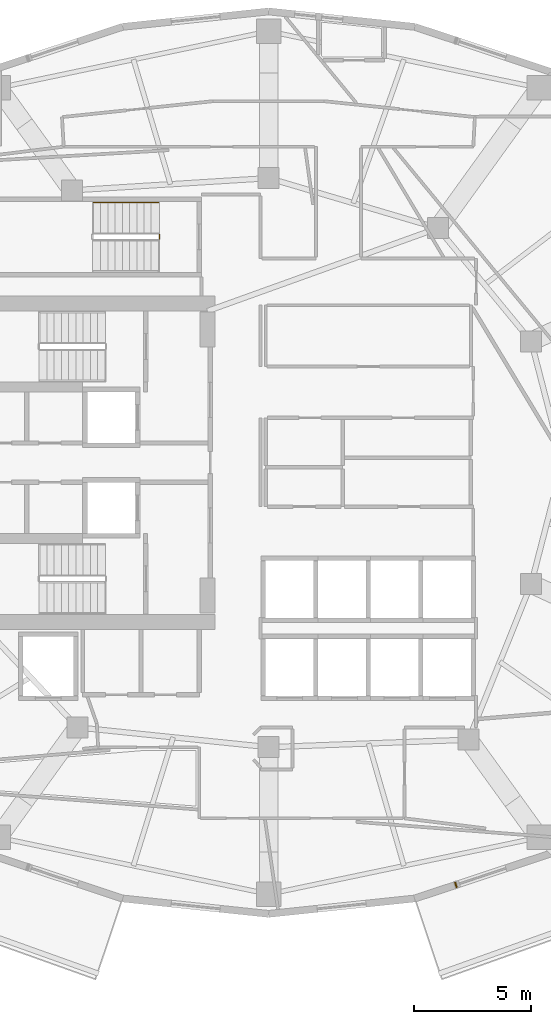
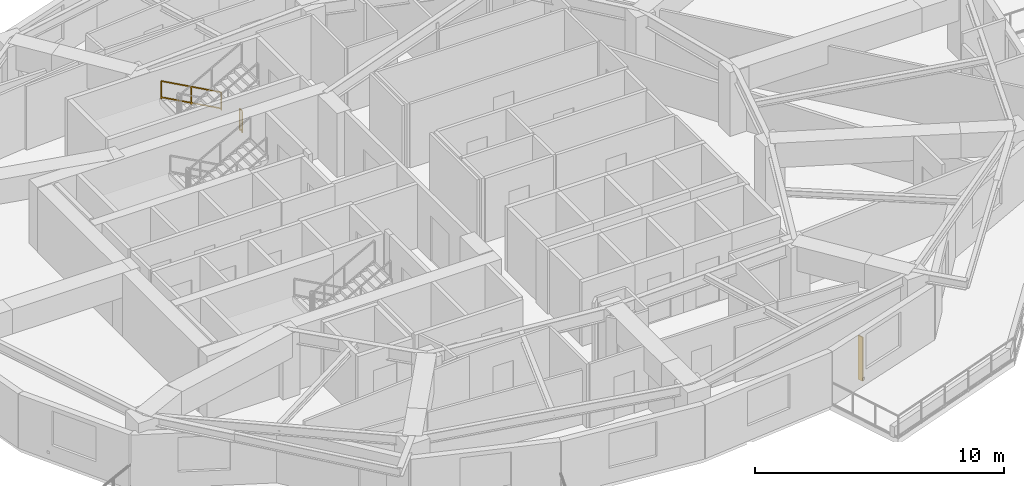
# One storey, part 10 of 12: 2 railings, 1 shading device.
"""IFC4 building model written with IfcOpenShell, lengths in metres."""

from ifc_helpers import new_model, si_unit, direction, frame, origin, origin_2d, place, context, subcontext, project, spatial, rectangle, extrude, material, type_object, element, save


model = new_model("IFC4")

# Units and contexts
model_context = context("Model", 3, precision=1e-05, world=origin(), true_north=direction((0.0, 1.0)))
body_context = subcontext(model_context, "Body", "Model", "MODEL_VIEW")
ifc_project = project(units=[si_unit("LENGTHUNIT", "METRE"), si_unit("AREAUNIT", "SQUARE_METRE"), si_unit("VOLUMEUNIT", "CUBIC_METRE"), si_unit("PLANEANGLEUNIT", "RADIAN"), si_unit("MASSUNIT", "GRAM", prefix="KILO")], contexts=[model_context])

# Site, building, storey
site_placement = place(None, origin())
site = spatial("IfcSite", under=ifc_project, at=site_placement, CompositionType="ELEMENT")
building_placement = place(site_placement, origin())
building = spatial("IfcBuilding", under=site, at=building_placement, Name="Kolvaren Gate Tower and Convention Centre", CompositionType="ELEMENT")
storey_placement = place(building_placement, frame((0.0, 0.0, 139.300048828125)))
storey = spatial("IfcBuildingStorey", under=building, at=storey_placement, Name="L35", CompositionType="ELEMENT", Elevation=139.300048828125)

# Railings
ifc_material_1 = material(Name="Brushed Stainless Steel Grade 316L", Category="steel")
railing_type_1 = type_object("IfcRailingType", Name="ARCH-RL-GUARD-1150", PredefinedType="GUARDRAIL", material=ifc_material_1)
railing_1_placement = place(storey_placement, frame((25.449951171875, 36.780029296875, 0.0)))
element("IfcRailing", 1, at=railing_1_placement, inside=storey, type_object=railing_type_1, Name="L35 ST-T3 stair guard 4", PredefinedType="GUARDRAIL", context=body_context, shape_type="SweptSolid", body=[
    extrude(rectangle(XDim=0.048095703125, YDim=0.048095703125, at=origin_2d()), frame((0.0, 0.0, 1.076171875), z_axis=(0.0, -1.0, 0.0), x_axis=(1.0, 0.0, 0.0)), (0.0, 0.0, 1.0), 0.199951171875),
    extrude(rectangle(XDim=0.048095703125, YDim=0.048095703125, at=origin_2d()), frame((0.0, 0.0, 0.083984375), z_axis=(0.0, -1.0, 0.0), x_axis=(1.0, 0.0, 0.0)), (0.0, 0.0, 1.0), 0.199951171875),
    extrude(rectangle(XDim=0.0419921875, YDim=0.0419921875, at=origin_2d()), origin(), (0.0, 0.0, 1.0), 1.050048828125),
    extrude(rectangle(XDim=0.0419921875, YDim=0.0419921875, at=origin_2d()), frame((0.0, -0.199951171875, 0.0)), (0.0, 0.0, 1.0), 1.050048828125),
])
railing_type_2 = type_object("IfcRailingType", Name="ARCH-RL-HANDRAIL-920", PredefinedType="HANDRAIL", material=ifc_material_1)
railing_2_placement = place(storey_placement, frame((25.39990234375, 38.14990234375, 0.169921875)))
element("IfcRailing", 2, at=railing_2_placement, inside=storey, type_object=railing_type_2, Name="L35 ST-T3 stair handrail 1", PredefinedType="HANDRAIL", context=body_context, shape_type="SweptSolid", body=[
    extrude(rectangle(XDim=0.048095703125, YDim=0.048095703125, at=origin_2d()), frame((0.0, 0.0, 0.8759765625), z_axis=(-0.8767936245, 0.0, 0.480866863109), x_axis=(0.0, -1.0, 0.0)), (0.0, 0.0, 1.0), 3.181884765625),
    extrude(rectangle(XDim=0.048095703125, YDim=0.048095703125, at=origin_2d()), frame((0.0, 0.0, 0.083984375), z_axis=(-0.8767936245, 0.0, 0.480866863109), x_axis=(0.0, -1.0, 0.0)), (0.0, 0.0, 1.0), 3.181884765625),
    extrude(rectangle(XDim=0.0419921875, YDim=0.0419921875, at=origin_2d()), origin(), (0.0, 0.0, 1.0), 0.849853515625),
    extrude(rectangle(XDim=0.0419921875, YDim=0.0419921875, at=origin_2d()), frame((-2.789794921875, 0.0, 1.530029296875)), (0.0, 0.0, 1.0), 0.849853515625),
    extrude(rectangle(XDim=0.0419921875, YDim=0.0419921875, at=origin_2d()), frame((-1.39501953125, 0.0, 0.76513671875)), (0.0, 0.0, 1.0), 0.849853515625),
])

# Shading device
ifc_material_2 = material(Name="Kiln-Fired Bogota Terracotta Ceramic Louvre Profile", Category="masonry")
shading_device_type = type_object("IfcShadingDeviceType", Name="ARCH-SHD-FIN-180", PredefinedType="JALOUSIE", material=ifc_material_2)
shading_device_placement = place(storey_placement, frame((38.153564453125, 8.895263671875, 0.219970703125), z_axis=(0.0, 0.0, 1.0), x_axis=(0.949240081615, 0.314552487599, 0.0)))
element("IfcShadingDevice", 3, at=shading_device_placement, inside=storey, type_object=shading_device_type, Name="Ceramic Vertical Brise-Soleil Fin FN-L35-19", PredefinedType="JALOUSIE", context=body_context, shape_type="SweptSolid", body=[
    extrude(rectangle(XDim=0.06005859375, YDim=0.239990234375, at=origin_2d()), origin(), (0.0, 0.0, 1.0), 2.14990234375),
])

save(model, "model.ifc")
